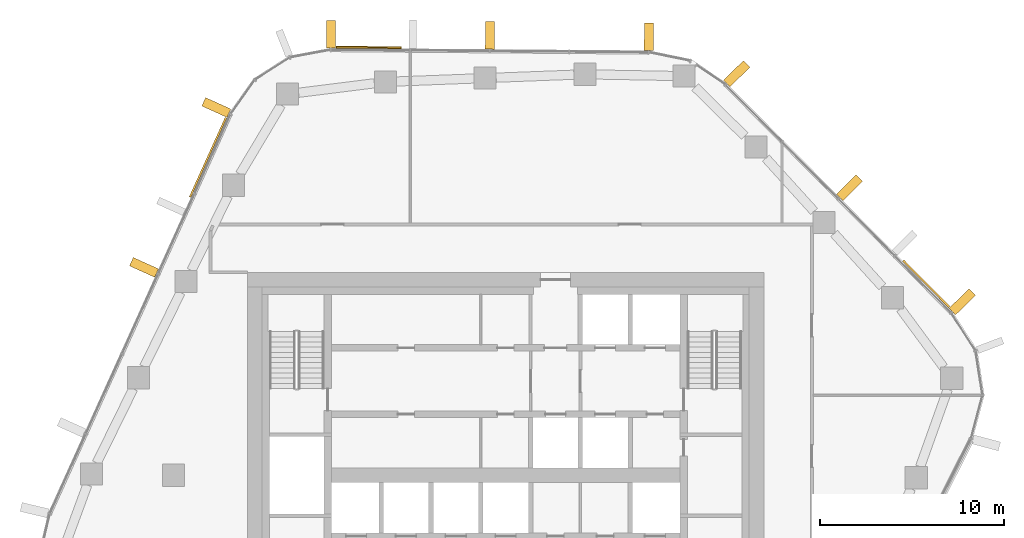
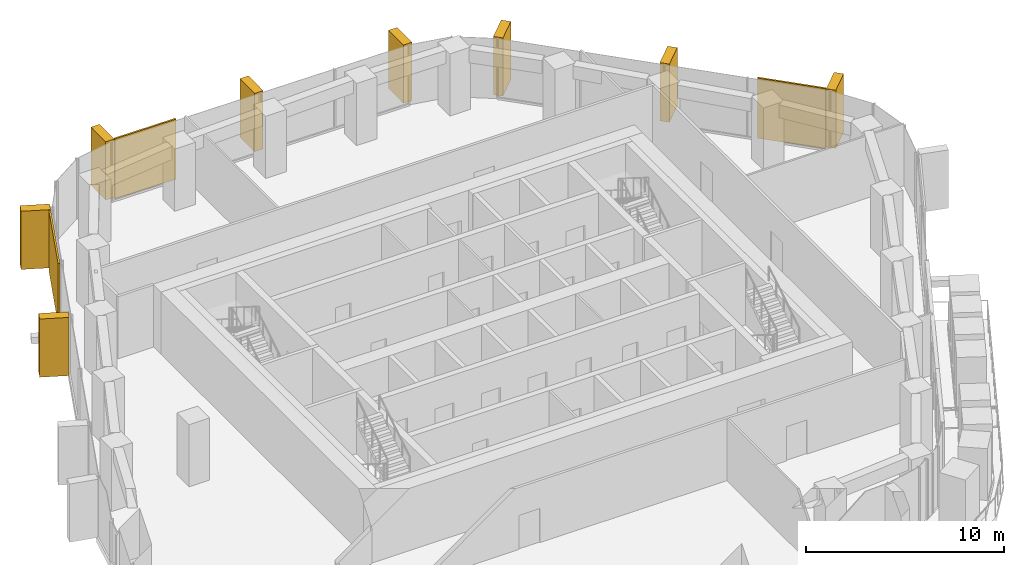
# One storey, part 17 of 17: 11 coverings, 3 elements without a shape of their own.
"""IFC4 building model written with IfcOpenShell, lengths in metres."""

from ifc_helpers import new_model, si_unit, direction, frame, origin, origin_2d, place, context, subcontext, project, spatial, rectangle, extrude, material, layer, layer_set, material_profile, profile_set, type_object, element, aggregate, save


model = new_model("IFC4")

# Units and contexts
model_context = context("Model", 3, precision=1e-05, world=origin(), true_north=direction((0.0, 1.0)))
body_context = subcontext(model_context, "Body", "Model", "MODEL_VIEW")
ifc_project = project(units=[si_unit("LENGTHUNIT", "METRE"), si_unit("AREAUNIT", "SQUARE_METRE"), si_unit("VOLUMEUNIT", "CUBIC_METRE"), si_unit("PLANEANGLEUNIT", "RADIAN"), si_unit("MASSUNIT", "GRAM", prefix="KILO")], contexts=[model_context])

# Site, building, storey
site_placement = place(None, origin())
site = spatial("IfcSite", under=ifc_project, at=site_placement, CompositionType="ELEMENT")
building_placement = place(site_placement, origin())
building = spatial("IfcBuilding", under=site, at=building_placement, Name="Dongbaek Canopy Tower", CompositionType="ELEMENT")
storey_placement = place(building_placement, frame((0.0, 0.0, 175.39990234375)))
storey = spatial("IfcBuildingStorey", under=building, at=storey_placement, Name="L38", CompositionType="ELEMENT", Elevation=175.39990234375)

# Curtain wall, covering
ifc_material_1 = material(Name="Aluminium 6063-T6 pale anodised", Category="aluminium")
ifc_layer_1 = layer(ifc_material_1, 0.199951171875)
ifc_layer_set_1 = layer_set([ifc_layer_1], Name="CW-1 unitised tower curtain wall")
curtain_wall_type = type_object("IfcCurtainWallType", Name="CW-1 unitised tower curtain wall", PredefinedType="NOTDEFINED", material=ifc_layer_set_1)
curtain_wall_1_placement = place(storey_placement, origin())
curtain_wall_1 = element("IfcCurtainWall", 1, at=curtain_wall_1_placement, inside=storey, type_object=curtain_wall_type, Name="CW-1 curtain wall F0.1", PredefinedType="NOTDEFINED")
ifc_material_2 = material(Name="Perforated aluminium 6063-T6 pale metal screen", Category="aluminium")
ifc_layer_2 = layer(ifc_material_2, 0.10009765625)
ifc_layer_set_2 = layer_set([ifc_layer_2], Name="Facet screen FS1 100 pale metal")
covering_type_1 = type_object("IfcCoveringType", Name="Facet screen FS1 100 pale metal", PredefinedType="CLADDING", material=ifc_layer_set_2)
covering_1_placement = place(storey_placement, frame((22.797119140625, 10.380615234375, 0.0), z_axis=(0.0, 0.0, 1.0), x_axis=(-0.703201146399, 0.710990961759, 0.0)))
covering_1 = element("IfcCovering", 2, at=covering_1_placement, type_object=covering_type_1, Name="Facet screen L38 F0", PredefinedType="CLADDING", context=body_context, shape_type="SweptSolid", body=[
    extrude(rectangle(XDim=3.556884765625, YDim=0.10009765625, at=origin_2d()), origin(), (0.0, 0.0, 1.0), 3.699951171875),
])

curtain_wall_2_placement = place(storey_placement, origin())
curtain_wall_2 = element("IfcCurtainWall", 3, at=curtain_wall_2_placement, inside=storey, type_object=curtain_wall_type, Name="CW-1 curtain wall F1.1", PredefinedType="NOTDEFINED")
covering_2_placement = place(storey_placement, frame((-7.418212890625, 23.192138671875, 0.0), z_axis=(0.0, 0.0, 1.0), x_axis=(-0.999969212451, 0.007846919787, 0.0)))
covering_2 = element("IfcCovering", 4, at=covering_2_placement, type_object=covering_type_1, Name="Facet screen L38 F1", PredefinedType="CLADDING", context=body_context, shape_type="SweptSolid", body=[
    extrude(rectangle(XDim=3.53515625, YDim=0.10009765625, at=origin_2d()), origin(), (0.0, 0.0, 1.0), 3.699951171875),
])

curtain_wall_3_placement = place(storey_placement, origin())
curtain_wall_3 = element("IfcCurtainWall", 5, at=curtain_wall_3_placement, inside=storey, type_object=curtain_wall_type, Name="CW-1 curtain wall F2.1", PredefinedType="NOTDEFINED")
covering_3_placement = place(storey_placement, frame((-16.138427734375, 17.228759765625, 0.0), z_axis=(0.0, 0.0, 1.0), x_axis=(-0.412080567907, -0.911147411539, 0.0)))
covering_3 = element("IfcCovering", 6, at=covering_3_placement, type_object=covering_type_1, Name="Facet screen L38 F2", PredefinedType="CLADDING", context=body_context, shape_type="SweptSolid", body=[
    extrude(rectangle(XDim=4.724365234375, YDim=0.10009765625, at=origin_2d()), origin(), (0.0, 0.0, 1.0), 3.699951171875),
])

# Covering
ifc_material_3 = material(Name="Aluminium 6063-T6 pale metal fin", Category="aluminium")
ifc_material_profile = material_profile(ifc_material_3, rectangle(XDim=1.5, YDim=0.5, at=origin_2d()), Name="Fin FN1 500 x 1500 pale metal")
ifc_profile_set = profile_set([ifc_material_profile], Name="Aluminium 6063-T6 pale metal fin")
covering_type_2 = type_object("IfcCoveringType", Name="Fin FN1 500 x 1500 pale metal", PredefinedType="CLADDING", material=ifc_profile_set)
covering_4_placement = place(storey_placement, frame((24.752197265625, 9.40478515625, 0.1201171875), z_axis=(0.0, 0.0, 1.0), x_axis=(0.710991357912, 0.703200745857, 0.0)))
covering_4 = element("IfcCovering", 7, at=covering_4_placement, type_object=covering_type_2, Name="Fin F0.1.1", PredefinedType="CLADDING", context=body_context, shape_type="SweptSolid", body=[
    extrude(rectangle(XDim=1.5, YDim=0.5, at=origin_2d()), origin(), (0.0, 0.0, 1.0), 3.580078125),
])

covering_5_placement = place(storey_placement, frame((18.63916015625, 15.585693359375, 0.1201171875), z_axis=(0.0, 0.0, 1.0), x_axis=(0.710991357912, 0.703200745857, 0.0)))
covering_5 = element("IfcCovering", 8, at=covering_5_placement, type_object=covering_type_2, Name="Fin F0.1.3", PredefinedType="CLADDING", context=body_context, shape_type="SweptSolid", body=[
    extrude(rectangle(XDim=1.5, YDim=0.5, at=origin_2d()), origin(), (0.0, 0.0, 1.0), 3.580078125),
])

covering_6_placement = place(storey_placement, frame((12.525634765625, 21.766845703125, 0.1201171875), z_axis=(0.0, 0.0, 1.0), x_axis=(0.710991357912, 0.703200745857, 0.0)))
covering_6 = element("IfcCovering", 9, at=covering_6_placement, type_object=covering_type_2, Name="Fin F0.1.5", PredefinedType="CLADDING", context=body_context, shape_type="SweptSolid", body=[
    extrude(rectangle(XDim=1.5, YDim=0.5, at=origin_2d()), origin(), (0.0, 0.0, 1.0), 3.580078125),
])

aggregate(curtain_wall_1, [covering_4, covering_5, covering_6, covering_1])

covering_7_placement = place(storey_placement, frame((7.7626953125, 23.777099609375, 0.1201171875), z_axis=(0.0, 0.0, 1.0), x_axis=(0.007847305301, 0.999969209426, 0.0)))
covering_7 = element("IfcCovering", 10, at=covering_7_placement, type_object=covering_type_2, Name="Fin F1.1.1", PredefinedType="CLADDING", context=body_context, shape_type="SweptSolid", body=[
    extrude(rectangle(XDim=1.5, YDim=0.5, at=origin_2d()), origin(), (0.0, 0.0, 1.0), 3.580078125),
])

covering_8_placement = place(storey_placement, frame((-0.853759765625, 23.8447265625, 0.1201171875), z_axis=(0.0, 0.0, 1.0), x_axis=(0.007847305301, 0.999969209426, 0.0)))
covering_8 = element("IfcCovering", 11, at=covering_8_placement, type_object=covering_type_2, Name="Fin F1.1.3", PredefinedType="CLADDING", context=body_context, shape_type="SweptSolid", body=[
    extrude(rectangle(XDim=1.5, YDim=0.5, at=origin_2d()), origin(), (0.0, 0.0, 1.0), 3.580078125),
])

covering_9_placement = place(storey_placement, frame((-9.47021484375, 23.912353515625, 0.1201171875), z_axis=(0.0, 0.0, 1.0), x_axis=(0.007847305301, 0.999969209426, 0.0)))
covering_9 = element("IfcCovering", 12, at=covering_9_placement, type_object=covering_type_2, Name="Fin F1.1.5", PredefinedType="CLADDING", context=body_context, shape_type="SweptSolid", body=[
    extrude(rectangle(XDim=1.5, YDim=0.5, at=origin_2d()), origin(), (0.0, 0.0, 1.0), 3.580078125),
])

aggregate(curtain_wall_2, [covering_7, covering_8, covering_9, covering_2])

covering_10_placement = place(storey_placement, frame((-15.68701171875, 19.935302734375, 0.1201171875), z_axis=(0.0, 0.0, 1.0), x_axis=(-0.911147578037, 0.412080199763, 0.0)))
covering_10 = element("IfcCovering", 13, at=covering_10_placement, type_object=covering_type_2, Name="Fin F2.1.1", PredefinedType="CLADDING", context=body_context, shape_type="SweptSolid", body=[
    extrude(rectangle(XDim=1.5, YDim=0.5, at=origin_2d()), origin(), (0.0, 0.0, 1.0), 3.580078125),
])

covering_11_placement = place(storey_placement, frame((-19.60693359375, 11.268310546875, 0.1201171875), z_axis=(0.0, 0.0, 1.0), x_axis=(-0.911147578037, 0.412080199763, 0.0)))
covering_11 = element("IfcCovering", 14, at=covering_11_placement, type_object=covering_type_2, Name="Fin F2.1.3", PredefinedType="CLADDING", context=body_context, shape_type="SweptSolid", body=[
    extrude(rectangle(XDim=1.5, YDim=0.5, at=origin_2d()), origin(), (0.0, 0.0, 1.0), 3.580078125),
])

aggregate(curtain_wall_3, [covering_10, covering_11, covering_3])

save(model, "model.ifc")
